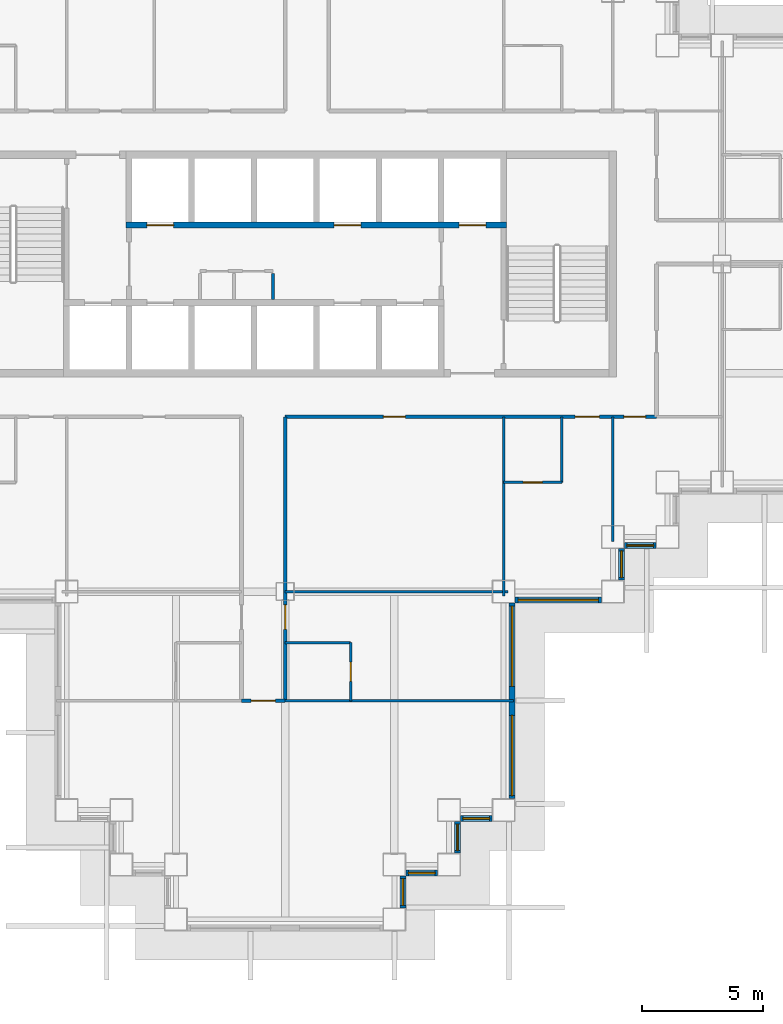
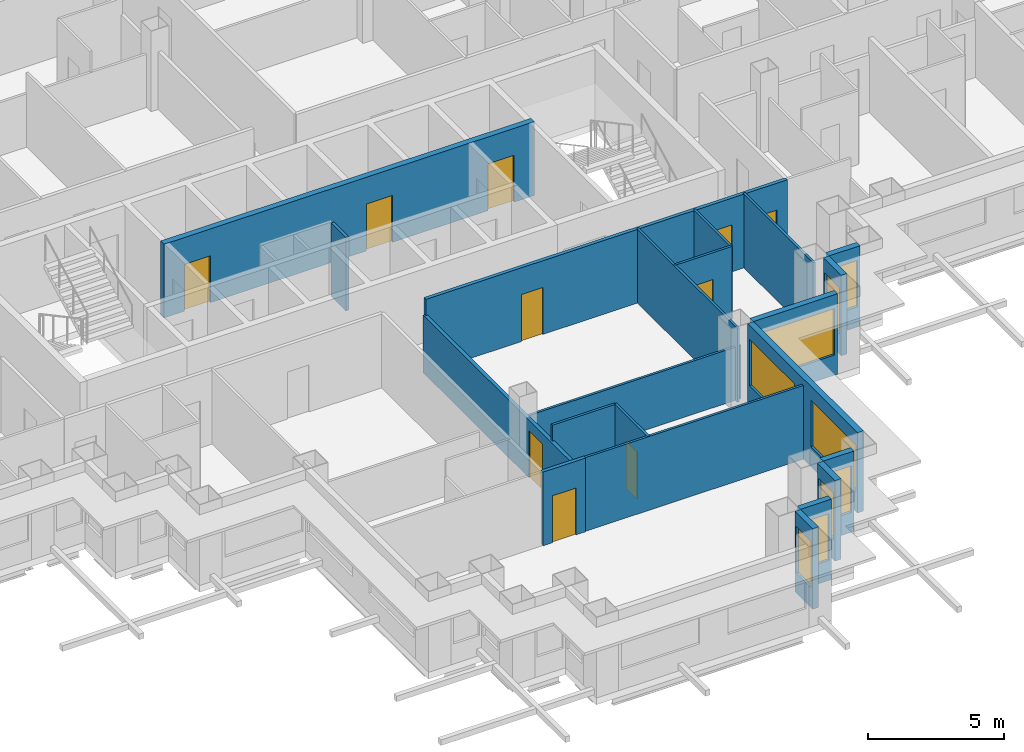
# One storey, part 5 of 15: 21 walls, 10 doors, 9 windows, 19 openings.
"""IFC4 building model written with IfcOpenShell, lengths in metres."""

from ifc_helpers import new_model, si_unit, direction, frame, frame_2d, origin, place, context, subcontext, project, spatial, rectangle, extrude, material, layer, layer_set, type_object, element, fill, save


model = new_model("IFC4")

# Units and contexts
model_context = context("Model", 3, precision=1e-05, world=origin(), true_north=direction((0.0, 1.0)))
body_context = subcontext(model_context, "Body", "Model", "MODEL_VIEW")
ifc_project = project(units=[si_unit("LENGTHUNIT", "METRE"), si_unit("AREAUNIT", "SQUARE_METRE"), si_unit("VOLUMEUNIT", "CUBIC_METRE"), si_unit("PLANEANGLEUNIT", "RADIAN"), si_unit("MASSUNIT", "GRAM", prefix="KILO")], contexts=[model_context])

# Site, building, storey
site_placement = place(None, origin())
site = spatial("IfcSite", under=ifc_project, at=site_placement, CompositionType="ELEMENT")
building_placement = place(site_placement, origin())
building = spatial("IfcBuilding", under=site, at=building_placement, Name="Caravel Reach Hotel and Residences", CompositionType="ELEMENT")
storey_placement = place(building_placement, frame((0.0, 0.0, 81.60009765625)))
storey = spatial("IfcBuildingStorey", under=building, at=storey_placement, Name="L19", CompositionType="ELEMENT", Elevation=81.60009765625)

# Wall
ifc_material_1 = material(Name="Gypsum board on steel stud", Category="steel")
ifc_layer_1 = layer(ifc_material_1, 0.10009765625)
ifc_layer_set_1 = layer_set([ifc_layer_1], Name="Bathroom pod wall 100 mm")
wall_type_1 = type_object("IfcWallType", Name="Bathroom pod wall 100 mm", PredefinedType="PARTITIONING", material=ifc_layer_set_1)
wall_1_placement = place(storey_placement, frame((31.5, 11.39990234375, 0.0), z_axis=(0.0, 0.0, 1.0), x_axis=(1.0, 0.0, 0.0)))
element("IfcWall", 1, at=wall_1_placement, inside=storey, type_object=wall_type_1, Name="L19 wall w082", PredefinedType="PARTITIONING", context=body_context, shape_type="SweptSolid", body=[
    extrude(rectangle(XDim=2.699951171875, YDim=0.10009765625, at=frame_2d((1.35009765625, 0.0))), origin(), (0.0, 0.0, 1.0), 3.2998046875),
])

# Wall, opening, door
wall_2_placement = place(storey_placement, frame((40.5, 18.0, 0.0), z_axis=(0.0, 0.0, 1.0), x_axis=(1.0, 0.0, 0.0)))
wall_2 = element("IfcWall", 2, at=wall_2_placement, inside=storey, type_object=wall_type_1, Name="L19 wall w085", PredefinedType="PARTITIONING", context=body_context, shape_type="SweptSolid", body=[
    extrude(rectangle(XDim=2.39990234375, YDim=0.10009765625, at=frame_2d((1.199951171875, 0.0))), origin(), (0.0, 0.0, 1.0), 3.2998046875),
])
opening_1_placement = place(wall_2_placement, frame((0.800048828125, 0.0, 0.0)))
opening_1 = element("IfcOpeningElement", 3, at=opening_1_placement, cuts=wall_2, Name="Opening D19-056", PredefinedType="OPENING", context=body_context, shape_type="SweptSolid", body=[
    extrude(rectangle(XDim=0.800048828125, YDim=2.10009765625, at=frame_2d((0.39990234375, 1.050048828125))), frame((0.0, 0.06005859375, 0.0), z_axis=(0.0, -1.0, 0.0), x_axis=(1.0, 0.0, 0.0)), (0.0, 0.0, 1.0), 0.1201171875),
])
ifc_material_2 = material(Name="Timber and steel door leaf", Category="steel")
door_type_1 = type_object("IfcDoorType", Name="Bathroom door 800 x 2100", OperationType="SINGLE_SWING_LEFT", PredefinedType="DOOR", material=ifc_material_2)
door_1_placement = place(opening_1_placement, origin())
door_1 = element("IfcDoor", 4, at=door_1_placement, inside=storey, type_object=door_type_1, Name="door D19-056", OperationType="SINGLE_SWING_LEFT", OverallHeight=2.10009765625, OverallWidth=0.800048828125, PredefinedType="DOOR", context=body_context, shape_type="SweptSolid", body=[
    extrude(rectangle(XDim=0.800048828125, YDim=2.10009765625, at=frame_2d((0.39990234375, 1.050048828125))), frame((0.0, 0.02490234375, 0.0), z_axis=(0.0, -1.0, 0.0), x_axis=(1.0, 0.0, 0.0)), (0.0, 0.0, 1.0), 0.050048828125),
])
fill(opening_1, door_1)

wall_3_placement = place(storey_placement, frame((34.199951171875, 9.0, 0.0), z_axis=(0.0, 0.0, 1.0), x_axis=(0.0, 1.0, 0.0)))
wall_3 = element("IfcWall", 5, at=wall_3_placement, inside=storey, type_object=wall_type_1, Name="L19 wall w107", PredefinedType="PARTITIONING", context=body_context, shape_type="SweptSolid", body=[
    extrude(rectangle(XDim=2.39990234375, YDim=0.10009765625, at=frame_2d((1.199951171875, 0.0))), origin(), (0.0, 0.0, 1.0), 3.2998046875),
])
opening_2_placement = place(wall_3_placement, frame((0.800048828125, 0.0, 0.0)))
opening_2 = element("IfcOpeningElement", 6, at=opening_2_placement, cuts=wall_3, Name="Opening D19-041", PredefinedType="OPENING", context=body_context, shape_type="SweptSolid", body=[
    extrude(rectangle(XDim=0.800048828125, YDim=2.10009765625, at=frame_2d((0.39990234375, 1.050048828125))), frame((0.0, 0.06005859375, 0.0), z_axis=(0.0, -1.0, 0.0), x_axis=(1.0, 0.0, 0.0)), (0.0, 0.0, 1.0), 0.1201171875),
])
door_2_placement = place(opening_2_placement, origin())
door_2 = element("IfcDoor", 7, at=door_2_placement, inside=storey, type_object=door_type_1, Name="door D19-041", OperationType="SINGLE_SWING_LEFT", OverallHeight=2.10009765625, OverallWidth=0.800048828125, PredefinedType="DOOR", context=body_context, shape_type="SweptSolid", body=[
    extrude(rectangle(XDim=0.800048828125, YDim=2.10009765625, at=frame_2d((0.39990234375, 1.050048828125))), frame((0.0, 0.02490234375, 0.0), z_axis=(0.0, -1.0, 0.0), x_axis=(1.0, 0.0, 0.0)), (0.0, 0.0, 1.0), 0.050048828125),
])
fill(opening_2, door_2)

# Wall
wall_4_placement = place(storey_placement, frame((42.89990234375, 18.0, 0.0), z_axis=(0.0, 0.0, 1.0), x_axis=(0.0, 1.0, 0.0)))
element("IfcWall", 8, at=wall_4_placement, inside=storey, type_object=wall_type_1, Name="L19 wall w110", PredefinedType="PARTITIONING", context=body_context, shape_type="SweptSolid", body=[
    extrude(rectangle(XDim=2.699951171875, YDim=0.10009765625, at=frame_2d((1.35009765625, 0.0))), origin(), (0.0, 0.0, 1.0), 3.2998046875),
])

# Wall, openings, doors
ifc_material_3 = material(Name="Gypsum board on steel stud, fire-rated", Category="steel")
ifc_layer_2 = layer(ifc_material_3, 0.14990234375)
ifc_layer_set_2 = layer_set([ifc_layer_2], Name="Corridor wall 150 mm EI 60")
wall_type_2 = type_object("IfcWallType", Name="Corridor wall 150 mm EI 60", PredefinedType="PARTITIONING", material=ifc_layer_set_2)
wall_5_placement = place(storey_placement, frame((31.5, 20.699951171875, 0.0), z_axis=(0.0, 0.0, 1.0), x_axis=(1.0, 0.0, 0.0)))
wall_5 = element("IfcWall", 9, at=wall_5_placement, inside=storey, type_object=wall_type_2, Name="L19 wall w004", PredefinedType="PARTITIONING", context=body_context, shape_type="SweptSolid", body=[
    extrude(rectangle(XDim=15.300048828125, YDim=0.14990234375, at=frame_2d((7.64990234375, 0.0))), origin(), (0.0, 0.0, 1.0), 3.2998046875),
])
opening_3_placement = place(wall_5_placement, frame((11.949951171875, 0.0, 0.0)))
opening_3 = element("IfcOpeningElement", 10, at=opening_3_placement, cuts=wall_5, Name="Opening D19-055", PredefinedType="OPENING", context=body_context, shape_type="SweptSolid", body=[
    extrude(rectangle(XDim=1.0, YDim=2.10009765625, at=frame_2d((0.5, 1.050048828125))), frame((0.0, 0.0849609375, 0.0), z_axis=(0.0, -1.0, 0.0), x_axis=(1.0, 0.0, 0.0)), (0.0, 0.0, 1.0), 0.169921875),
])
opening_4_placement = place(wall_5_placement, frame((13.949951171875, 0.0, 0.0)))
opening_4 = element("IfcOpeningElement", 11, at=opening_4_placement, cuts=wall_5, Name="Opening D19-057", PredefinedType="OPENING", context=body_context, shape_type="SweptSolid", body=[
    extrude(rectangle(XDim=0.89990234375, YDim=2.10009765625, at=frame_2d((0.449951171875, 1.050048828125))), frame((0.0, 0.0849609375, 0.0), z_axis=(0.0, -1.0, 0.0), x_axis=(1.0, 0.0, 0.0)), (0.0, 0.0, 1.0), 0.169921875),
])
opening_5_placement = place(wall_5_placement, frame((4.050048828125, 0.0, 0.0)))
opening_5 = element("IfcOpeningElement", 12, at=opening_5_placement, cuts=wall_5, Name="Opening D19-062", PredefinedType="OPENING", context=body_context, shape_type="SweptSolid", body=[
    extrude(rectangle(XDim=0.89990234375, YDim=2.10009765625, at=frame_2d((0.449951171875, 1.050048828125))), frame((0.0, 0.0849609375, 0.0), z_axis=(0.0, -1.0, 0.0), x_axis=(1.0, 0.0, 0.0)), (0.0, 0.0, 1.0), 0.169921875),
])
ifc_material_4 = material(Name="Timber and steel door leaf", Category="steel")
door_type_2 = type_object("IfcDoorType", Name="Door 900 x 2100 timber", OperationType="SINGLE_SWING_LEFT", PredefinedType="DOOR", material=ifc_material_4)
door_3_placement = place(opening_4_placement, origin())
door_3 = element("IfcDoor", 13, at=door_3_placement, inside=storey, type_object=door_type_2, Name="door D19-057", OperationType="SINGLE_SWING_RIGHT", OverallHeight=2.10009765625, OverallWidth=0.89990234375, PredefinedType="DOOR", context=body_context, shape_type="SweptSolid", body=[
    extrude(rectangle(XDim=0.89990234375, YDim=2.10009765625, at=frame_2d((0.449951171875, 1.050048828125))), frame((0.0, 0.02490234375, 0.0), z_axis=(0.0, -1.0, 0.0), x_axis=(1.0, 0.0, 0.0)), (0.0, 0.0, 1.0), 0.050048828125),
])
fill(opening_4, door_3)
door_4_placement = place(opening_5_placement, origin())
door_4 = element("IfcDoor", 14, at=door_4_placement, inside=storey, type_object=door_type_2, Name="door D19-062", OperationType="SINGLE_SWING_RIGHT", OverallHeight=2.10009765625, OverallWidth=0.89990234375, PredefinedType="DOOR", context=body_context, shape_type="SweptSolid", body=[
    extrude(rectangle(XDim=0.89990234375, YDim=2.10009765625, at=frame_2d((0.449951171875, 1.050048828125))), frame((0.0, 0.02490234375, 0.0), z_axis=(0.0, -1.0, 0.0), x_axis=(1.0, 0.0, 0.0)), (0.0, 0.0, 1.0), 0.050048828125),
])
fill(opening_5, door_4)
ifc_material_5 = material(Name="Steel fire door leaf", Category="steel")
door_type_3 = type_object("IfcDoorType", Name="Guest room door 1000 x 2100 EI 30", OperationType="SINGLE_SWING_LEFT", PredefinedType="DOOR", material=ifc_material_5)
door_5_placement = place(opening_3_placement, origin())
door_5 = element("IfcDoor", 15, at=door_5_placement, inside=storey, type_object=door_type_3, Name="door D19-055", OperationType="SINGLE_SWING_RIGHT", OverallHeight=2.10009765625, OverallWidth=1.0, PredefinedType="DOOR", context=body_context, shape_type="SweptSolid", body=[
    extrude(rectangle(XDim=1.0, YDim=2.10009765625, at=frame_2d((0.5, 1.050048828125))), frame((0.0, 0.02490234375, 0.0), z_axis=(0.0, -1.0, 0.0), x_axis=(1.0, 0.0, 0.0)), (0.0, 0.0, 1.0), 0.050048828125),
])
fill(opening_3, door_5)

# Wall, opening, door
wall_6_placement = place(storey_placement, frame((29.699951171875, 9.0, 0.0), z_axis=(0.0, 0.0, 1.0), x_axis=(1.0, 0.0, 0.0)))
wall_6 = element("IfcWall", 16, at=wall_6_placement, inside=storey, type_object=wall_type_2, Name="L19 wall w026", PredefinedType="PARTITIONING", context=body_context, shape_type="SweptSolid", body=[
    extrude(rectangle(XDim=1.800048828125, YDim=0.14990234375, at=frame_2d((0.89990234375, 0.0))), origin(), (0.0, 0.0, 1.0), 3.2998046875),
])
opening_6_placement = place(wall_6_placement, frame((0.39990234375, 0.0, 0.0)))
opening_6 = element("IfcOpeningElement", 17, at=opening_6_placement, cuts=wall_6, Name="Opening D19-046", PredefinedType="OPENING", context=body_context, shape_type="SweptSolid", body=[
    extrude(rectangle(XDim=1.0, YDim=2.10009765625, at=frame_2d((0.5, 1.050048828125))), frame((0.0, 0.0849609375, 0.0), z_axis=(0.0, -1.0, 0.0), x_axis=(1.0, 0.0, 0.0)), (0.0, 0.0, 1.0), 0.169921875),
])
door_6_placement = place(opening_6_placement, origin())
door_6 = element("IfcDoor", 18, at=door_6_placement, inside=storey, type_object=door_type_3, Name="door D19-046", OperationType="SINGLE_SWING_LEFT", OverallHeight=2.10009765625, OverallWidth=1.0, PredefinedType="DOOR", context=body_context, shape_type="SweptSolid", body=[
    extrude(rectangle(XDim=1.0, YDim=2.10009765625, at=frame_2d((0.5, 1.050048828125))), frame((0.0, 0.02490234375, 0.0), z_axis=(0.0, -1.0, 0.0), x_axis=(1.0, 0.0, 0.0)), (0.0, 0.0, 1.0), 0.050048828125),
])
fill(opening_6, door_6)

wall_7_placement = place(storey_placement, frame((31.5, 9.0, 0.0), z_axis=(0.0, 0.0, 1.0), x_axis=(0.0, 1.0, 0.0)))
wall_7 = element("IfcWall", 19, at=wall_7_placement, inside=storey, type_object=wall_type_2, Name="L19 wall w033", PredefinedType="PARTITIONING", context=body_context, shape_type="SweptSolid", body=[
    extrude(rectangle(XDim=11.699951171875, YDim=0.14990234375, at=frame_2d((5.85009765625, 0.0))), origin(), (0.0, 0.0, 1.0), 2.579833984375),
])
opening_7_placement = place(wall_7_placement, frame((2.949951171875, 0.0, 0.0)))
opening_7 = element("IfcOpeningElement", 20, at=opening_7_placement, cuts=wall_7, Name="Opening D19-040", PredefinedType="OPENING", context=body_context, shape_type="SweptSolid", body=[
    extrude(rectangle(XDim=1.0, YDim=2.10009765625, at=frame_2d((0.5, 1.050048828125))), frame((0.0, 0.0849609375, 0.0), z_axis=(0.0, -1.0, 0.0), x_axis=(1.0, 0.0, 0.0)), (0.0, 0.0, 1.0), 0.169921875),
])
door_7_placement = place(opening_7_placement, origin())
door_7 = element("IfcDoor", 21, at=door_7_placement, inside=storey, type_object=door_type_3, Name="door D19-040", OperationType="SINGLE_SWING_RIGHT", OverallHeight=2.10009765625, OverallWidth=1.0, PredefinedType="DOOR", context=body_context, shape_type="SweptSolid", body=[
    extrude(rectangle(XDim=1.0, YDim=2.10009765625, at=frame_2d((0.5, 1.050048828125))), frame((0.0, 0.02490234375, 0.0), z_axis=(0.0, -1.0, 0.0), x_axis=(1.0, 0.0, 0.0)), (0.0, 0.0, 1.0), 0.050048828125),
])
fill(opening_7, door_7)

# Wall, opening, window
ifc_material_6 = material(Name="Insulated rainscreen wall, aluminium cladding", Category="aluminium")
ifc_layer_3 = layer(ifc_material_6, 0.25)
ifc_layer_set_3 = layer_set([ifc_layer_3], Name="EW1 Tower rainscreen wall")
wall_type_3 = type_object("IfcWallType", Name="EW1 Tower rainscreen wall", PredefinedType="SOLIDWALL", material=ifc_layer_set_3)
wall_8_placement = place(storey_placement, frame((36.35009765625, 0.47509765625, 0.0), z_axis=(0.0, 0.0, 1.0), x_axis=(0.0, 1.0, 0.0)))
wall_8 = element("IfcWall", 22, at=wall_8_placement, inside=storey, type_object=wall_type_3, Name="External wall L19 E6.1", PredefinedType="SOLIDWALL", context=body_context, shape_type="SweptSolid", body=[
    extrude(rectangle(XDim=1.2998046875, YDim=0.25, at=frame_2d((0.64990234375, 0.0))), origin(), (0.0, 0.0, 1.0), 3.599853515625),
])
opening_8_placement = place(wall_8_placement, frame((0.10009765625, 0.0, 0.89990234375)))
opening_8 = element("IfcOpeningElement", 23, at=opening_8_placement, cuts=wall_8, Name="Opening WN5", PredefinedType="OPENING", context=body_context, shape_type="SweptSolid", body=[
    extrude(rectangle(XDim=1.10009765625, YDim=2.080078125, at=frame_2d((0.550048828125, 1.0400390625))), frame((0.0, 0.135009765625, 0.0), z_axis=(0.0, -1.0, 0.0), x_axis=(1.0, 0.0, 0.0)), (0.0, 0.0, 1.0), 0.27001953125),
])
ifc_material_7 = material(Name="Dark low-e glazing in black aluminium frame", Category="aluminium")
window_type_1 = type_object("IfcWindowType", Name="Hotel suite corner window 1100 x 2080", PartitioningType="SINGLE_PANEL", PredefinedType="WINDOW", material=ifc_material_7)
window_1_placement = place(opening_8_placement, origin())
window_1 = element("IfcWindow", 24, at=window_1_placement, inside=storey, type_object=window_type_1, Name="Window L19 E6.1.1", OverallHeight=2.080078125, OverallWidth=1.10009765625, PartitioningType="SINGLE_PANEL", PredefinedType="WINDOW", context=body_context, shape_type="SweptSolid", body=[
    extrude(rectangle(XDim=1.10009765625, YDim=2.080078125, at=frame_2d((0.550048828125, 1.0400390625))), frame((0.0, 0.030029296875, 0.0), z_axis=(0.0, -1.0, 0.0), x_axis=(1.0, 0.0, 0.0)), (0.0, 0.0, 1.0), 0.06005859375),
])
fill(opening_8, window_1)

wall_9_placement = place(storey_placement, frame((36.47509765625, 1.89990234375, 0.0), z_axis=(0.0, 0.0, 1.0), x_axis=(1.0, 0.0, 0.0)))
wall_9 = element("IfcWall", 25, at=wall_9_placement, inside=storey, type_object=wall_type_3, Name="External wall L19 S7.1", PredefinedType="SOLIDWALL", context=body_context, shape_type="SweptSolid", body=[
    extrude(rectangle(XDim=1.2998046875, YDim=0.25, at=frame_2d((0.64990234375, 0.0))), origin(), (0.0, 0.0, 1.0), 3.599853515625),
])
opening_9_placement = place(wall_9_placement, frame((0.10009765625, 0.0, 0.89990234375)))
opening_9 = element("IfcOpeningElement", 26, at=opening_9_placement, cuts=wall_9, Name="Opening WN5", PredefinedType="OPENING", context=body_context, shape_type="SweptSolid", body=[
    extrude(rectangle(XDim=1.10009765625, YDim=2.080078125, at=frame_2d((0.550048828125, 1.0400390625))), frame((0.0, 0.135009765625, 0.0), z_axis=(0.0, -1.0, 0.0), x_axis=(1.0, 0.0, 0.0)), (0.0, 0.0, 1.0), 0.27001953125),
])
window_2_placement = place(opening_9_placement, origin())
window_2 = element("IfcWindow", 27, at=window_2_placement, inside=storey, type_object=window_type_1, Name="Window L19 S7.1.1", OverallHeight=2.080078125, OverallWidth=1.10009765625, PartitioningType="SINGLE_PANEL", PredefinedType="WINDOW", context=body_context, shape_type="SweptSolid", body=[
    extrude(rectangle(XDim=1.10009765625, YDim=2.080078125, at=frame_2d((0.550048828125, 1.0400390625))), frame((0.0, 0.030029296875, 0.0), z_axis=(0.0, -1.0, 0.0), x_axis=(1.0, 0.0, 0.0)), (0.0, 0.0, 1.0), 0.06005859375),
])
fill(opening_9, window_2)

wall_10_placement = place(storey_placement, frame((38.60009765625, 2.72509765625, 0.0), z_axis=(0.0, 0.0, 1.0), x_axis=(0.0, 1.0, 0.0)))
wall_10 = element("IfcWall", 28, at=wall_10_placement, inside=storey, type_object=wall_type_3, Name="External wall L19 E8.1", PredefinedType="SOLIDWALL", context=body_context, shape_type="SweptSolid", body=[
    extrude(rectangle(XDim=1.2998046875, YDim=0.25, at=frame_2d((0.64990234375, 0.0))), origin(), (0.0, 0.0, 1.0), 3.599853515625),
])
opening_10_placement = place(wall_10_placement, frame((0.10009765625, 0.0, 0.89990234375)))
opening_10 = element("IfcOpeningElement", 29, at=opening_10_placement, cuts=wall_10, Name="Opening WN5", PredefinedType="OPENING", context=body_context, shape_type="SweptSolid", body=[
    extrude(rectangle(XDim=1.10009765625, YDim=2.080078125, at=frame_2d((0.550048828125, 1.0400390625))), frame((0.0, 0.135009765625, 0.0), z_axis=(0.0, -1.0, 0.0), x_axis=(1.0, 0.0, 0.0)), (0.0, 0.0, 1.0), 0.27001953125),
])
window_3_placement = place(opening_10_placement, origin())
window_3 = element("IfcWindow", 30, at=window_3_placement, inside=storey, type_object=window_type_1, Name="Window L19 E8.1.1", OverallHeight=2.080078125, OverallWidth=1.10009765625, PartitioningType="SINGLE_PANEL", PredefinedType="WINDOW", context=body_context, shape_type="SweptSolid", body=[
    extrude(rectangle(XDim=1.10009765625, YDim=2.080078125, at=frame_2d((0.550048828125, 1.0400390625))), frame((0.0, 0.030029296875, 0.0), z_axis=(0.0, -1.0, 0.0), x_axis=(1.0, 0.0, 0.0)), (0.0, 0.0, 1.0), 0.06005859375),
])
fill(opening_10, window_3)

wall_11_placement = place(storey_placement, frame((38.72509765625, 4.14990234375, 0.0), z_axis=(0.0, 0.0, 1.0), x_axis=(1.0, 0.0, 0.0)))
wall_11 = element("IfcWall", 31, at=wall_11_placement, inside=storey, type_object=wall_type_3, Name="External wall L19 S9.1", PredefinedType="SOLIDWALL", context=body_context, shape_type="SweptSolid", body=[
    extrude(rectangle(XDim=1.2998046875, YDim=0.25, at=frame_2d((0.64990234375, 0.0))), origin(), (0.0, 0.0, 1.0), 3.599853515625),
])
opening_11_placement = place(wall_11_placement, frame((0.10009765625, 0.0, 0.89990234375)))
opening_11 = element("IfcOpeningElement", 32, at=opening_11_placement, cuts=wall_11, Name="Opening WN5", PredefinedType="OPENING", context=body_context, shape_type="SweptSolid", body=[
    extrude(rectangle(XDim=1.10009765625, YDim=2.080078125, at=frame_2d((0.550048828125, 1.0400390625))), frame((0.0, 0.135009765625, 0.0), z_axis=(0.0, -1.0, 0.0), x_axis=(1.0, 0.0, 0.0)), (0.0, 0.0, 1.0), 0.27001953125),
])
window_4_placement = place(opening_11_placement, origin())
window_4 = element("IfcWindow", 33, at=window_4_placement, inside=storey, type_object=window_type_1, Name="Window L19 S9.1.1", OverallHeight=2.080078125, OverallWidth=1.10009765625, PartitioningType="SINGLE_PANEL", PredefinedType="WINDOW", context=body_context, shape_type="SweptSolid", body=[
    extrude(rectangle(XDim=1.10009765625, YDim=2.080078125, at=frame_2d((0.550048828125, 1.0400390625))), frame((0.0, 0.030029296875, 0.0), z_axis=(0.0, -1.0, 0.0), x_axis=(1.0, 0.0, 0.0)), (0.0, 0.0, 1.0), 0.06005859375),
])
fill(opening_11, window_4)

# Wall, openings, windows
wall_12_placement = place(storey_placement, frame((40.85009765625, 4.97509765625, 0.0), z_axis=(0.0, 0.0, 1.0), x_axis=(0.0, 1.0, 0.0)))
wall_12 = element("IfcWall", 34, at=wall_12_placement, inside=storey, type_object=wall_type_3, Name="External wall L19 E10.1", PredefinedType="SOLIDWALL", context=body_context, shape_type="SweptSolid", body=[
    extrude(rectangle(XDim=8.0498046875, YDim=0.25, at=frame_2d((4.02490234375, 0.0))), origin(), (0.0, 0.0, 1.0), 3.599853515625),
])
opening_12_placement = place(wall_12_placement, frame((0.125, 0.0, 0.89990234375)))
opening_12 = element("IfcOpeningElement", 35, at=opening_12_placement, cuts=wall_12, Name="Opening WN4", PredefinedType="OPENING", context=body_context, shape_type="SweptSolid", body=[
    extrude(rectangle(XDim=3.300048828125, YDim=2.080078125, at=frame_2d((1.64990234375, 1.0400390625))), frame((0.0, 0.135009765625, 0.0), z_axis=(0.0, -1.0, 0.0), x_axis=(1.0, 0.0, 0.0)), (0.0, 0.0, 1.0), 0.27001953125),
])
opening_13_placement = place(wall_12_placement, frame((4.625, 0.0, 0.89990234375)))
opening_13 = element("IfcOpeningElement", 36, at=opening_13_placement, cuts=wall_12, Name="Opening WN4", PredefinedType="OPENING", context=body_context, shape_type="SweptSolid", body=[
    extrude(rectangle(XDim=3.300048828125, YDim=2.080078125, at=frame_2d((1.64990234375, 1.0400390625))), frame((0.0, 0.135009765625, 0.0), z_axis=(0.0, -1.0, 0.0), x_axis=(1.0, 0.0, 0.0)), (0.0, 0.0, 1.0), 0.27001953125),
])
ifc_material_8 = material(Name="Dark low-e glazing in black aluminium frame", Category="aluminium")
window_type_2 = type_object("IfcWindowType", Name="Hotel guest room window 3300 x 2080", PartitioningType="SINGLE_PANEL", PredefinedType="WINDOW", material=ifc_material_8)
window_5_placement = place(opening_12_placement, origin())
window_5 = element("IfcWindow", 37, at=window_5_placement, inside=storey, type_object=window_type_2, Name="Window L19 E10.1.1", OverallHeight=2.080078125, OverallWidth=3.300048828125, PartitioningType="SINGLE_PANEL", PredefinedType="WINDOW", context=body_context, shape_type="SweptSolid", body=[
    extrude(rectangle(XDim=3.300048828125, YDim=2.080078125, at=frame_2d((1.64990234375, 1.0400390625))), frame((0.0, 0.030029296875, 0.0), z_axis=(0.0, -1.0, 0.0), x_axis=(1.0, 0.0, 0.0)), (0.0, 0.0, 1.0), 0.06005859375),
])
fill(opening_12, window_5)
window_6_placement = place(opening_13_placement, origin())
window_6 = element("IfcWindow", 38, at=window_6_placement, inside=storey, type_object=window_type_2, Name="Window L19 E10.1.2", OverallHeight=2.080078125, OverallWidth=3.300048828125, PartitioningType="SINGLE_PANEL", PredefinedType="WINDOW", context=body_context, shape_type="SweptSolid", body=[
    extrude(rectangle(XDim=3.300048828125, YDim=2.080078125, at=frame_2d((1.64990234375, 1.0400390625))), frame((0.0, 0.030029296875, 0.0), z_axis=(0.0, -1.0, 0.0), x_axis=(1.0, 0.0, 0.0)), (0.0, 0.0, 1.0), 0.06005859375),
])
fill(opening_13, window_6)

# Wall, opening, window
wall_13_placement = place(storey_placement, frame((40.97509765625, 13.14990234375, 0.0), z_axis=(0.0, 0.0, 1.0), x_axis=(1.0, 0.0, 0.0)))
wall_13 = element("IfcWall", 39, at=wall_13_placement, inside=storey, type_object=wall_type_3, Name="External wall L19 S11.1", PredefinedType="SOLIDWALL", context=body_context, shape_type="SweptSolid", body=[
    extrude(rectangle(XDim=3.5498046875, YDim=0.25, at=frame_2d((1.77490234375, 0.0))), origin(), (0.0, 0.0, 1.0), 3.599853515625),
])
opening_14_placement = place(wall_13_placement, frame((0.125, 0.0, 0.89990234375)))
opening_14 = element("IfcOpeningElement", 40, at=opening_14_placement, cuts=wall_13, Name="Opening WN4", PredefinedType="OPENING", context=body_context, shape_type="SweptSolid", body=[
    extrude(rectangle(XDim=3.300048828125, YDim=2.080078125, at=frame_2d((1.64990234375, 1.0400390625))), frame((0.0, 0.135009765625, 0.0), z_axis=(0.0, -1.0, 0.0), x_axis=(1.0, 0.0, 0.0)), (0.0, 0.0, 1.0), 0.27001953125),
])
window_7_placement = place(opening_14_placement, origin())
window_7 = element("IfcWindow", 41, at=window_7_placement, inside=storey, type_object=window_type_2, Name="Window L19 S11.1.1", OverallHeight=2.080078125, OverallWidth=3.300048828125, PartitioningType="SINGLE_PANEL", PredefinedType="WINDOW", context=body_context, shape_type="SweptSolid", body=[
    extrude(rectangle(XDim=3.300048828125, YDim=2.080078125, at=frame_2d((1.64990234375, 1.0400390625))), frame((0.0, 0.030029296875, 0.0), z_axis=(0.0, -1.0, 0.0), x_axis=(1.0, 0.0, 0.0)), (0.0, 0.0, 1.0), 0.06005859375),
])
fill(opening_14, window_7)

wall_14_placement = place(storey_placement, frame((45.35009765625, 13.97509765625, 0.0), z_axis=(0.0, 0.0, 1.0), x_axis=(0.0, 1.0, 0.0)))
wall_14 = element("IfcWall", 42, at=wall_14_placement, inside=storey, type_object=wall_type_3, Name="External wall L19 E12.1", PredefinedType="SOLIDWALL", context=body_context, shape_type="SweptSolid", body=[
    extrude(rectangle(XDim=1.2998046875, YDim=0.25, at=frame_2d((0.64990234375, 0.0))), origin(), (0.0, 0.0, 1.0), 3.599853515625),
])
opening_15_placement = place(wall_14_placement, frame((0.10009765625, 0.0, 0.89990234375)))
opening_15 = element("IfcOpeningElement", 43, at=opening_15_placement, cuts=wall_14, Name="Opening WN5", PredefinedType="OPENING", context=body_context, shape_type="SweptSolid", body=[
    extrude(rectangle(XDim=1.10009765625, YDim=2.080078125, at=frame_2d((0.550048828125, 1.0400390625))), frame((0.0, 0.135009765625, 0.0), z_axis=(0.0, -1.0, 0.0), x_axis=(1.0, 0.0, 0.0)), (0.0, 0.0, 1.0), 0.27001953125),
])
window_8_placement = place(opening_15_placement, origin())
window_8 = element("IfcWindow", 44, at=window_8_placement, inside=storey, type_object=window_type_1, Name="Window L19 E12.1.1", OverallHeight=2.080078125, OverallWidth=1.10009765625, PartitioningType="SINGLE_PANEL", PredefinedType="WINDOW", context=body_context, shape_type="SweptSolid", body=[
    extrude(rectangle(XDim=1.10009765625, YDim=2.080078125, at=frame_2d((0.550048828125, 1.0400390625))), frame((0.0, 0.030029296875, 0.0), z_axis=(0.0, -1.0, 0.0), x_axis=(1.0, 0.0, 0.0)), (0.0, 0.0, 1.0), 0.06005859375),
])
fill(opening_15, window_8)

wall_15_placement = place(storey_placement, frame((45.47509765625, 15.39990234375, 0.0), z_axis=(0.0, 0.0, 1.0), x_axis=(1.0, 0.0, 0.0)))
wall_15 = element("IfcWall", 45, at=wall_15_placement, inside=storey, type_object=wall_type_3, Name="External wall L19 S13.1", PredefinedType="SOLIDWALL", context=body_context, shape_type="SweptSolid", body=[
    extrude(rectangle(XDim=1.2998046875, YDim=0.25, at=frame_2d((0.64990234375, 0.0))), origin(), (0.0, 0.0, 1.0), 3.599853515625),
])
opening_16_placement = place(wall_15_placement, frame((0.10009765625, 0.0, 0.89990234375)))
opening_16 = element("IfcOpeningElement", 46, at=opening_16_placement, cuts=wall_15, Name="Opening WN5", PredefinedType="OPENING", context=body_context, shape_type="SweptSolid", body=[
    extrude(rectangle(XDim=1.10009765625, YDim=2.080078125, at=frame_2d((0.550048828125, 1.0400390625))), frame((0.0, 0.135009765625, 0.0), z_axis=(0.0, -1.0, 0.0), x_axis=(1.0, 0.0, 0.0)), (0.0, 0.0, 1.0), 0.27001953125),
])
window_9_placement = place(opening_16_placement, origin())
window_9 = element("IfcWindow", 47, at=window_9_placement, inside=storey, type_object=window_type_1, Name="Window L19 S13.1.1", OverallHeight=2.080078125, OverallWidth=1.10009765625, PartitioningType="SINGLE_PANEL", PredefinedType="WINDOW", context=body_context, shape_type="SweptSolid", body=[
    extrude(rectangle(XDim=1.10009765625, YDim=2.080078125, at=frame_2d((0.550048828125, 1.0400390625))), frame((0.0, 0.030029296875, 0.0), z_axis=(0.0, -1.0, 0.0), x_axis=(1.0, 0.0, 0.0)), (0.0, 0.0, 1.0), 0.06005859375),
])
fill(opening_16, window_9)

# Walls
ifc_material_9 = material(Name="Gypsum board on steel stud", Category="steel")
ifc_layer_4 = layer(ifc_material_9, 0.10009765625)
ifc_layer_set_4 = layer_set([ifc_layer_4], Name="Partition 100 mm")
wall_type_4 = type_object("IfcWallType", Name="Partition 100 mm", PredefinedType="PARTITIONING", material=ifc_layer_set_4)
wall_16_placement = place(storey_placement, frame((31.5, 13.5, 0.0), z_axis=(0.0, 0.0, 1.0), x_axis=(1.0, 0.0, 0.0)))
element("IfcWall", 48, at=wall_16_placement, inside=storey, type_object=wall_type_4, Name="L19 wall w043", PredefinedType="PARTITIONING", context=body_context, shape_type="SweptSolid", body=[
    extrude(rectangle(XDim=9.18994140625, YDim=0.10009765625, at=frame_2d((4.594970703125, 0.0))), origin(), (0.0, 0.0, 1.0), 2.3798828125),
])
wall_17_placement = place(storey_placement, frame((31.5, 9.0, 0.0), z_axis=(0.0, 0.0, 1.0), x_axis=(1.0, 0.0, 0.0)))
element("IfcWall", 49, at=wall_17_placement, inside=storey, type_object=wall_type_4, Name="L19 wall w055", PredefinedType="PARTITIONING", context=body_context, shape_type="SweptSolid", body=[
    extrude(rectangle(XDim=9.4150390625, YDim=0.10009765625, at=frame_2d((4.70751953125, 0.0))), origin(), (0.0, 0.0, 1.0), 3.2998046875),
])
wall_18_placement = place(storey_placement, frame((40.5, 13.31005859375, 0.0), z_axis=(0.0, 0.0, 1.0), x_axis=(0.0, 1.0, 0.0)))
element("IfcWall", 50, at=wall_18_placement, inside=storey, type_object=wall_type_4, Name="L19 wall w067", PredefinedType="PARTITIONING", context=body_context, shape_type="SweptSolid", body=[
    extrude(rectangle(XDim=7.389892578125, YDim=0.10009765625, at=frame_2d((3.69482421875, 0.0))), origin(), (0.0, 0.0, 1.0), 3.2998046875),
])
wall_19_placement = place(storey_placement, frame((45.0, 15.56005859375, 0.0), z_axis=(0.0, 0.0, 1.0), x_axis=(0.0, 1.0, 0.0)))
element("IfcWall", 51, at=wall_19_placement, inside=storey, type_object=wall_type_4, Name="L19 wall w069", PredefinedType="PARTITIONING", context=body_context, shape_type="SweptSolid", body=[
    extrude(rectangle(XDim=5.139892578125, YDim=0.10009765625, at=frame_2d((2.56982421875, 0.0))), origin(), (0.0, 0.0, 1.0), 3.2998046875),
])
ifc_material_10 = material(Name="Autoclaved aerated block wall")
ifc_layer_5 = layer(ifc_material_10, 0.125)
ifc_layer_set_5 = layer_set([ifc_layer_5], Name="Riser wall 125 mm EI 60")
wall_type_5 = type_object("IfcWallType", Name="Riser wall 125 mm EI 60", PredefinedType="PARTITIONING", material=ifc_layer_set_5)
wall_20_placement = place(storey_placement, frame((31.0, 25.52490234375, 0.0), z_axis=(0.0, 0.0, 1.0), x_axis=(0.0, 1.0, 0.0)))
element("IfcWall", 52, at=wall_20_placement, inside=storey, type_object=wall_type_5, Name="L19 service room partition S1", PredefinedType="PARTITIONING", context=body_context, shape_type="SweptSolid", body=[
    extrude(rectangle(XDim=1.0751953125, YDim=0.125, at=frame_2d((0.53759765625, 0.0))), origin(), (0.0, 0.0, 1.0), 3.2998046875),
])

# Wall, openings, doors
ifc_material_11 = material(Name="Concrete C60", Category="concrete")
ifc_layer_6 = layer(ifc_material_11, 0.25)
ifc_layer_set_6 = layer_set([ifc_layer_6], Name="Shaft wall 250 mm EI 120")
wall_type_6 = type_object("IfcWallType", Name="Shaft wall 250 mm EI 120", PredefinedType="SHEAR", material=ifc_layer_set_6)
wall_21_placement = place(storey_placement, frame((24.946533203125, 28.60009765625, 0.0), z_axis=(0.0, 0.0, 1.0), x_axis=(1.0, 0.0, 0.0)))
wall_21 = element("IfcWall", 53, at=wall_21_placement, inside=storey, type_object=wall_type_6, Name="L19 lobby wall N1", PredefinedType="SHEAR", context=body_context, shape_type="SweptSolid", body=[
    extrude(rectangle(XDim=15.678466796875, YDim=0.25, at=frame_2d((7.83935546875, 0.0))), origin(), (0.0, 0.0, 1.0), 3.2998046875),
])
opening_17_placement = place(wall_21_placement, frame((0.860595703125, 0.0, 0.0)))
opening_17 = element("IfcOpeningElement", 54, at=opening_17_placement, cuts=wall_21, Name="Opening D19-004", PredefinedType="OPENING", context=body_context, shape_type="SweptSolid", body=[
    extrude(rectangle(XDim=1.10009765625, YDim=2.10009765625, at=frame_2d((0.550048828125, 1.050048828125))), frame((0.0, 0.135009765625, 0.0), z_axis=(0.0, -1.0, 0.0), x_axis=(1.0, 0.0, 0.0)), (0.0, 0.0, 1.0), 0.27001953125),
])
opening_18_placement = place(wall_21_placement, frame((8.574951171875, 0.0, 0.0)))
opening_18 = element("IfcOpeningElement", 55, at=opening_18_placement, cuts=wall_21, Name="Opening D19-005", PredefinedType="OPENING", context=body_context, shape_type="SweptSolid", body=[
    extrude(rectangle(XDim=1.10009765625, YDim=2.10009765625, at=frame_2d((0.550048828125, 1.050048828125))), frame((0.0, 0.135009765625, 0.0), z_axis=(0.0, -1.0, 0.0), x_axis=(1.0, 0.0, 0.0)), (0.0, 0.0, 1.0), 0.27001953125),
])
opening_19_placement = place(wall_21_placement, frame((13.718017578125, 0.0, 0.0)))
opening_19 = element("IfcOpeningElement", 56, at=opening_19_placement, cuts=wall_21, Name="Opening D19-007", PredefinedType="OPENING", context=body_context, shape_type="SweptSolid", body=[
    extrude(rectangle(XDim=1.10009765625, YDim=2.10009765625, at=frame_2d((0.550048828125, 1.050048828125))), frame((0.0, 0.135009765625, 0.0), z_axis=(0.0, -1.0, 0.0), x_axis=(1.0, 0.0, 0.0)), (0.0, 0.0, 1.0), 0.27001953125),
])
ifc_material_12 = material(Name="Stainless steel landing door", Category="steel")
door_type_4 = type_object("IfcDoorType", Name="Landing door LD 1100 x 2100 sliding", OperationType="DOUBLE_DOOR_SLIDING", PredefinedType="DOOR", material=ifc_material_12)
door_8_placement = place(opening_17_placement, origin())
door_8 = element("IfcDoor", 57, at=door_8_placement, inside=storey, type_object=door_type_4, Name="LP4 landing door", OperationType="DOUBLE_DOOR_SLIDING", OverallHeight=2.10009765625, OverallWidth=1.10009765625, PredefinedType="DOOR", context=body_context, shape_type="SweptSolid", body=[
    extrude(rectangle(XDim=1.10009765625, YDim=2.10009765625, at=frame_2d((0.550048828125, 1.050048828125))), frame((0.0, 0.02490234375, 0.0), z_axis=(0.0, -1.0, 0.0), x_axis=(1.0, 0.0, 0.0)), (0.0, 0.0, 1.0), 0.050048828125),
])
fill(opening_17, door_8)
door_9_placement = place(opening_18_placement, origin())
door_9 = element("IfcDoor", 58, at=door_9_placement, inside=storey, type_object=door_type_4, Name="LP5 landing door", OperationType="DOUBLE_DOOR_SLIDING", OverallHeight=2.10009765625, OverallWidth=1.10009765625, PredefinedType="DOOR", context=body_context, shape_type="SweptSolid", body=[
    extrude(rectangle(XDim=1.10009765625, YDim=2.10009765625, at=frame_2d((0.550048828125, 1.050048828125))), frame((0.0, 0.02490234375, 0.0), z_axis=(0.0, -1.0, 0.0), x_axis=(1.0, 0.0, 0.0)), (0.0, 0.0, 1.0), 0.050048828125),
])
fill(opening_18, door_9)
door_10_placement = place(opening_19_placement, origin())
door_10 = element("IfcDoor", 59, at=door_10_placement, inside=storey, type_object=door_type_4, Name="FL2 landing door", OperationType="DOUBLE_DOOR_SLIDING", OverallHeight=2.10009765625, OverallWidth=1.10009765625, PredefinedType="DOOR", context=body_context, shape_type="SweptSolid", body=[
    extrude(rectangle(XDim=1.10009765625, YDim=2.10009765625, at=frame_2d((0.550048828125, 1.050048828125))), frame((0.0, 0.02490234375, 0.0), z_axis=(0.0, -1.0, 0.0), x_axis=(1.0, 0.0, 0.0)), (0.0, 0.0, 1.0), 0.050048828125),
])
fill(opening_19, door_10)

save(model, "model.ifc")
